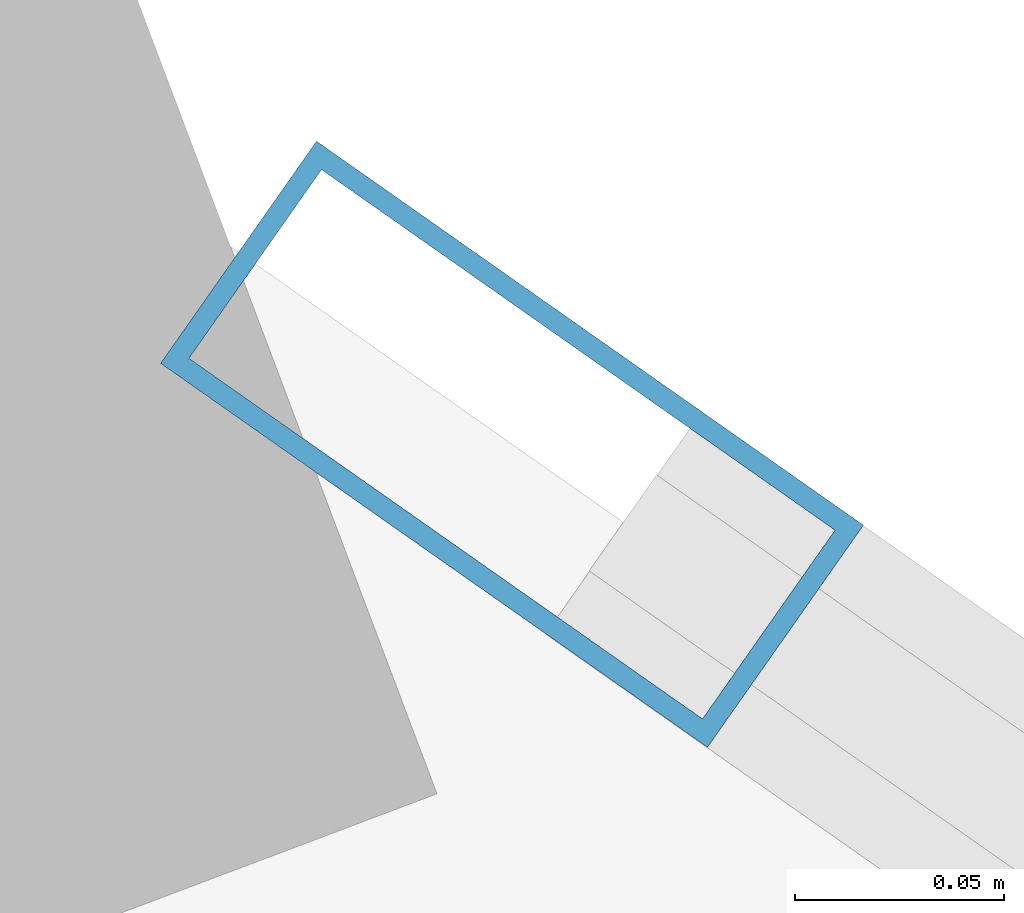
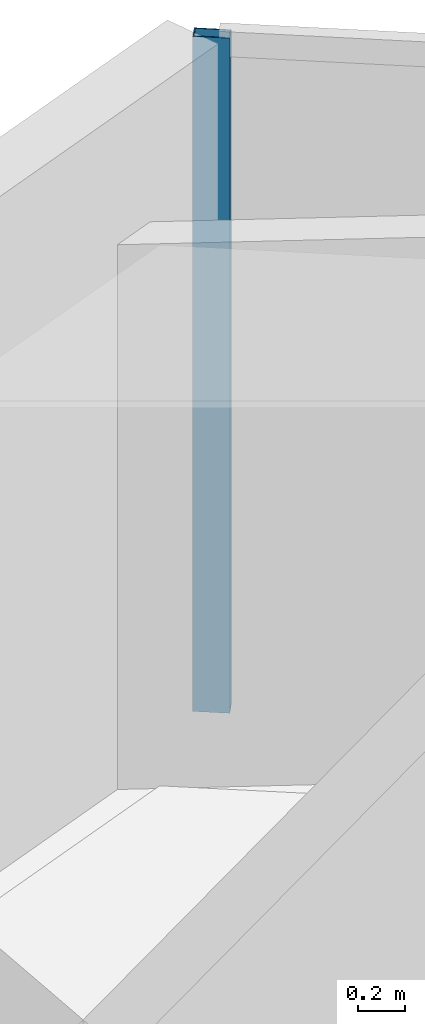
# One storey, part 17 of 24: 1 member, 1 element without a shape of its own.
"""IFC4 building model written with IfcOpenShell, lengths in metres."""

from ifc_helpers import new_model, si_unit, direction, frame, origin, origin_2d, place, context, subcontext, project, spatial, hollow_rectangle, extrude, material, layer, layer_set, material_profile, profile_set, type_object, element, aggregate, save


model = new_model("IFC4")

# Units and contexts
model_context = context("Model", 3, precision=1e-05, world=origin(), true_north=direction((0.0, 1.0)))
body_context = subcontext(model_context, "Body", "Model", "MODEL_VIEW")
ifc_project = project(units=[si_unit("LENGTHUNIT", "METRE"), si_unit("AREAUNIT", "SQUARE_METRE"), si_unit("VOLUMEUNIT", "CUBIC_METRE"), si_unit("PLANEANGLEUNIT", "RADIAN"), si_unit("MASSUNIT", "GRAM", prefix="KILO")], contexts=[model_context])

# Site, building, storey
site_placement = place(None, origin())
site = spatial("IfcSite", under=ifc_project, at=site_placement, CompositionType="ELEMENT")
building_placement = place(site_placement, origin())
building = spatial("IfcBuilding", under=site, at=building_placement, Name="Qianvela Tower", CompositionType="ELEMENT")
storey_placement = place(building_placement, frame((0.0, 0.0, 101.5)))
storey = spatial("IfcBuildingStorey", under=building, at=storey_placement, Name="L25", CompositionType="ELEMENT", Elevation=101.5)

# Curtain wall, member
ifc_material_1 = material(Name="Anodised Architectural Aluminium and Low-E Glass", Category="aluminium")
ifc_layer = layer(ifc_material_1, 0.169921875)
ifc_layer_set = layer_set([ifc_layer], Name="Anodised Architectural Aluminium and Low-E Glass")
curtain_wall_type = type_object("IfcCurtainWallType", Name="CW-COLIV-Z34", PredefinedType="USERDEFINED", material=ifc_layer_set)
curtain_wall_placement = place(storey_placement, origin())
curtain_wall = element("IfcCurtainWall", 1, at=curtain_wall_placement, inside=storey, type_object=curtain_wall_type, Name="L25 CW-COLIV-Z34 Curtain Wall 02C", ObjectType="CURTAIN_WALL_SYSTEM", PredefinedType="USERDEFINED")
ifc_material_2 = material(Name="Anodised Architectural Aluminium 6063-T6", Category="aluminium")
ifc_material_profile = material_profile(ifc_material_2, hollow_rectangle(XDim=0.06494140625, YDim=0.159912109375, WallThickness=0.0048828125, at=origin_2d()), Name="ALU-MULL-65x160")
ifc_profile_set = profile_set([ifc_material_profile], Name="Anodised Architectural Aluminium 6063-T6")
member_type = type_object("IfcMemberType", Name="CW-COLIV-Z34-MULL", PredefinedType="MULLION", material=ifc_profile_set)
member_placement = place(storey_placement, frame((33.63525390625, 44.3857421875, 0.0), z_axis=(0.0, 0.0, 1.0), x_axis=(-0.57462169337, -0.818419152701, 0.0)))
member = element("IfcMember", 2, at=member_placement, type_object=member_type, Name="CW-4 mullion 2", PredefinedType="MULLION", context=body_context, shape_type="SweptSolid", body=[
    extrude(hollow_rectangle(XDim=0.06494140625, YDim=0.159912109375, WallThickness=0.0048828125, at=origin_2d()), origin(), (0.0, 0.0, 1.0), 3.52001953125),
])
aggregate(curtain_wall, [member])

save(model, "model.ifc")
